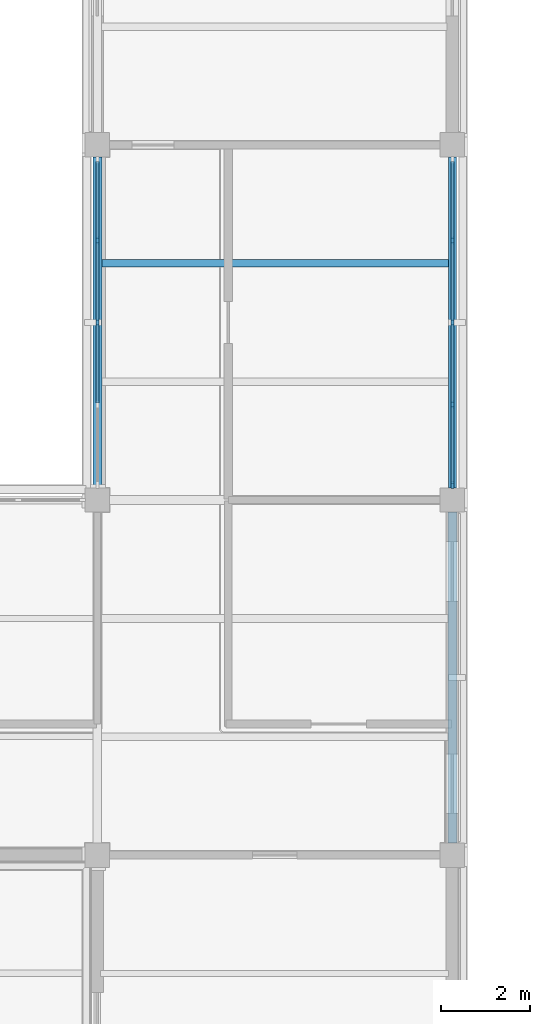
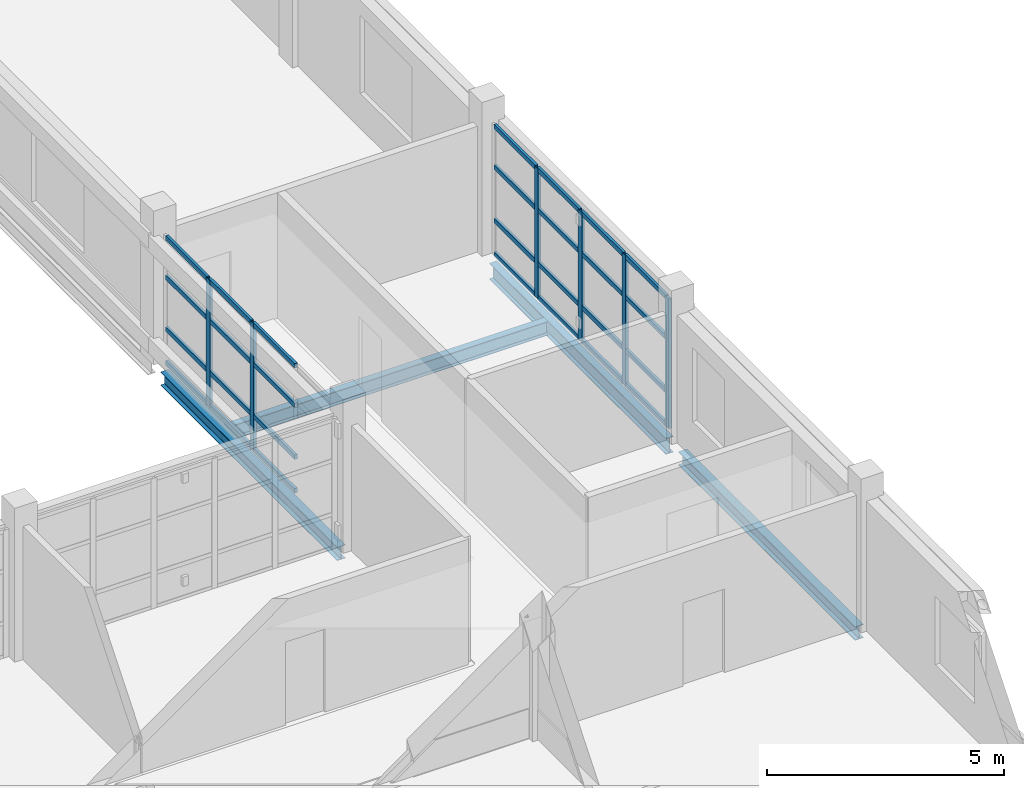
# One storey, part 41 of 92: 34 members, 4 beams, 2 elements without a shape of their own.
"""IFC4 building model written with IfcOpenShell, lengths in metres."""

from ifc_helpers import new_model, si_unit, derived_unit, direction, frame, origin, origin_2d, place, context, subcontext, project, spatial, rectangle, i_section, extrude, material, layer, layer_set, material_profile, profile_set, type_object, element, aggregate, save


model = new_model("IFC4")

# Units and contexts
model_context = context("Model", 3, precision=1e-05, world=origin(), true_north=direction((0.0, 1.0)))
body_context = subcontext(model_context, "Body", "Model", "MODEL_VIEW")
ifc_project = project(units=[si_unit("LENGTHUNIT", "METRE"), si_unit("AREAUNIT", "SQUARE_METRE"), si_unit("VOLUMEUNIT", "CUBIC_METRE"), si_unit("PLANEANGLEUNIT", "RADIAN"), si_unit("MASSUNIT", "GRAM", prefix="KILO"), derived_unit("THERMALTRANSMITTANCEUNIT", [(si_unit("MASSUNIT", "GRAM", prefix="KILO"), 1), (si_unit("TIMEUNIT", "SECOND"), -3), (si_unit("THERMODYNAMICTEMPERATUREUNIT", "KELVIN"), -1)])], contexts=[model_context])

# Site, building, storey
site_placement = place(None, origin())
site = spatial("IfcSite", under=ifc_project, at=site_placement, CompositionType="ELEMENT")
building_placement = place(site_placement, origin())
building = spatial("IfcBuilding", under=site, at=building_placement, Name="Veyamyaing Civic Hall", CompositionType="ELEMENT")
storey_placement = place(building_placement, frame((0.0, 0.0, 17.820068359375)))
storey = spatial("IfcBuildingStorey", under=building, at=storey_placement, Name="L04", CompositionType="ELEMENT", Elevation=17.820068359375)

# Beams
ifc_material_1 = material(Name="Steel ASTM A992", Category="steel")
ifc_material_profile_1 = material_profile(ifc_material_1, i_section(OverallWidth=0.2041015625, OverallDepth=0.35009765625, WebThickness=0.0078125, FlangeThickness=0.01513671875, FilletRadius=0.010009765625, at=origin_2d()), Name="W360X72")
ifc_profile_set_1 = profile_set([ifc_material_profile_1], Name="Steel ASTM A992")
beam_type_1 = type_object("IfcBeamType", Name="B-11", PredefinedType="SPANDREL", material=ifc_profile_set_1)
for number, where, z_axis, x_axis, name in (
    (1, (168.0, 56.27490234375, -0.41015625), (0.0, 1.0, 0.0), (-1.0, 0.0, 0.0), "Girder B-11 L04 Grid 22 H-J"),
    (2, (176.0, 48.27490234375, -0.41015625), (0.0, 1.0, 0.0), (-1.0, 0.0, 0.0), "Girder B-11 L04 Grid 23 G-H"),
):
    element("IfcBeam", number, at=place(storey_placement, frame(where, z_axis=z_axis, x_axis=x_axis)), inside=storey, type_object=beam_type_1, Name=name, PredefinedType="SPANDREL", context=body_context, shape_type="SweptSolid", body=[
        extrude(i_section(OverallWidth=0.2041015625, OverallDepth=0.35009765625, WebThickness=0.0078125, FlangeThickness=0.01513671875, FilletRadius=0.010009765625, at=origin_2d()), origin(), (0.0, 0.0, 1.0), 7.4501953125),
    ])
ifc_material_profile_2 = material_profile(ifc_material_1, i_section(OverallWidth=0.180908203125, OverallDepth=0.4169921875, WebThickness=0.010986328125, FlangeThickness=0.018310546875, FilletRadius=0.010009765625, at=origin_2d()), Name="W410X85")
ifc_profile_set_2 = profile_set([ifc_material_profile_2], Name="Steel ASTM A992")
beam_type_2 = type_object("IfcBeamType", Name="B-19", PredefinedType="SPANDREL", material=ifc_profile_set_2)
beam_1_placement = place(storey_placement, frame((176.0, 56.27490234375, -0.443603515625), z_axis=(0.0, 1.0, 0.0), x_axis=(-1.0, 0.0, 0.0)))
element("IfcBeam", 3, at=beam_1_placement, inside=storey, type_object=beam_type_2, Name="Girder B-19 L04 Grid 23 H-J", PredefinedType="SPANDREL", context=body_context, shape_type="SweptSolid", body=[
    extrude(i_section(OverallWidth=0.180908203125, OverallDepth=0.4169921875, WebThickness=0.010986328125, FlangeThickness=0.018310546875, FilletRadius=0.010009765625, at=origin_2d()), origin(), (0.0, 0.0, 1.0), 7.4501953125),
])

# Curtain wall, members
ifc_material_2 = material(Name="Anodised aluminium 6063-T6", Category="aluminium")
ifc_layer = layer(ifc_material_2, 0.159912109375, Name="Anodised aluminium 6063-T6")
ifc_layer_set = layer_set([ifc_layer], Name="Anodised aluminium 6063-T6")
curtain_wall_type = type_object("IfcCurtainWallType", Name="CW-08", PredefinedType="NOTDEFINED", material=ifc_layer_set)
curtain_wall_1_placement = place(storey_placement, origin())
curtain_wall_1 = element("IfcCurtainWall", 4, at=curtain_wall_1_placement, inside=storey, type_object=curtain_wall_type, Name="Unitized curtain wall CW-08 L04 W 22.8", PredefinedType="NOTDEFINED")
ifc_material_profile_3 = material_profile(ifc_material_2, rectangle(XDim=0.06494140625, YDim=0.159912109375, at=origin_2d()), Name="ALU-MUL-65X160")
ifc_profile_set_3 = profile_set([ifc_material_profile_3], Name="Anodised aluminium 6063-T6")
member_type_1 = type_object("IfcMemberType", Name="CWM-01", PredefinedType="MULLION", material=ifc_profile_set_3)
member_1_placement = place(storey_placement, frame((168.0, 60.0, 0.0), z_axis=(0.0, 0.0, 1.0), x_axis=(-1.0, 0.0, 0.0)))
member_1 = element("IfcMember", 5, at=member_1_placement, type_object=member_type_1, Name="CW-08 mullion 3", PredefinedType="MULLION", context=body_context, shape_type="SweptSolid", body=[
    extrude(rectangle(XDim=0.06494140625, YDim=0.159912109375, at=origin_2d()), origin(), (0.0, 0.0, 1.0), 3.284912109375),
])
member_2_placement = place(storey_placement, frame((168.0, 61.847412109375, 0.0), z_axis=(0.0, 0.0, 1.0), x_axis=(-1.0, 0.0, 0.0)))
member_2 = element("IfcMember", 6, at=member_2_placement, type_object=member_type_1, Name="CW-08 mullion 4", PredefinedType="MULLION", context=body_context, shape_type="SweptSolid", body=[
    extrude(rectangle(XDim=0.06494140625, YDim=0.159912109375, at=origin_2d()), origin(), (0.0, 0.0, 1.0), 3.284912109375),
])

curtain_wall_2_placement = place(storey_placement, origin())
curtain_wall_2 = element("IfcCurtainWall", 7, at=curtain_wall_2_placement, inside=storey, type_object=curtain_wall_type, Name="Unitized curtain wall CW-08 L04 E 22.8", PredefinedType="NOTDEFINED")
member_3_placement = place(storey_placement, frame((176.0, 56.33740234375, 0.0), z_axis=(0.0, 0.0, 1.0), x_axis=(-1.0, 0.0, 0.0)))
member_3 = element("IfcMember", 8, at=member_3_placement, type_object=member_type_1, Name="CW-08 mullion 1", PredefinedType="MULLION", context=body_context, shape_type="SweptSolid", body=[
    extrude(rectangle(XDim=0.06494140625, YDim=0.159912109375, at=origin_2d()), origin(), (0.0, 0.0, 1.0), 3.348876953125),
])
member_4_placement = place(storey_placement, frame((176.0, 58.152587890625, 0.0), z_axis=(0.0, 0.0, 1.0), x_axis=(-1.0, 0.0, 0.0)))
member_4 = element("IfcMember", 9, at=member_4_placement, type_object=member_type_1, Name="CW-08 mullion 2", PredefinedType="MULLION", context=body_context, shape_type="SweptSolid", body=[
    extrude(rectangle(XDim=0.06494140625, YDim=0.159912109375, at=origin_2d()), origin(), (0.0, 0.0, 1.0), 3.348876953125),
])
member_5_placement = place(storey_placement, frame((176.0, 60.0, 0.0), z_axis=(0.0, 0.0, 1.0), x_axis=(-1.0, 0.0, 0.0)))
member_5 = element("IfcMember", 10, at=member_5_placement, type_object=member_type_1, Name="CW-08 mullion 3", PredefinedType="MULLION", context=body_context, shape_type="SweptSolid", body=[
    extrude(rectangle(XDim=0.06494140625, YDim=0.159912109375, at=origin_2d()), origin(), (0.0, 0.0, 1.0), 3.348876953125),
])
member_6_placement = place(storey_placement, frame((176.0, 61.847412109375, 0.0), z_axis=(0.0, 0.0, 1.0), x_axis=(-1.0, 0.0, 0.0)))
member_6 = element("IfcMember", 11, at=member_6_placement, type_object=member_type_1, Name="CW-08 mullion 4", PredefinedType="MULLION", context=body_context, shape_type="SweptSolid", body=[
    extrude(rectangle(XDim=0.06494140625, YDim=0.159912109375, at=origin_2d()), origin(), (0.0, 0.0, 1.0), 3.348876953125),
])

# Member
ifc_material_profile_4 = material_profile(ifc_material_2, rectangle(XDim=0.06494140625, YDim=0.1201171875, at=origin_2d()), Name="ALU-TRN-65X120")
ifc_profile_set_4 = profile_set([ifc_material_profile_4], Name="Anodised aluminium 6063-T6")
member_type_2 = type_object("IfcMemberType", Name="CWT-01", PredefinedType="USERDEFINED", material=ifc_profile_set_4)
member_7_placement = place(storey_placement, frame((168.0, 58.18505859375, 0.032470703125), z_axis=(0.0, 1.0, 0.0), x_axis=(-1.0, 0.0, 0.0)))
member_7 = element("IfcMember", 12, at=member_7_placement, type_object=member_type_2, Name="CW-08 transom 2.1", ObjectType="TRANSOM", PredefinedType="USERDEFINED", context=body_context, shape_type="SweptSolid", body=[
    extrude(rectangle(XDim=0.06494140625, YDim=0.1201171875, at=origin_2d()), origin(), (0.0, 0.0, 1.0), 1.782470703125),
])

member_8_placement = place(storey_placement, frame((168.0, 58.18505859375, 0.89990234375), z_axis=(0.0, 1.0, 0.0), x_axis=(-1.0, 0.0, 0.0)))
member_8 = element("IfcMember", 13, at=member_8_placement, type_object=member_type_2, Name="CW-08 transom 2.2", ObjectType="TRANSOM", PredefinedType="USERDEFINED", context=body_context, shape_type="SweptSolid", body=[
    extrude(rectangle(XDim=0.06494140625, YDim=0.1201171875, at=origin_2d()), origin(), (0.0, 0.0, 1.0), 1.782470703125),
])

member_9_placement = place(storey_placement, frame((168.0, 58.18505859375, 2.233642578125), z_axis=(0.0, 1.0, 0.0), x_axis=(-1.0, 0.0, 0.0)))
member_9 = element("IfcMember", 14, at=member_9_placement, type_object=member_type_2, Name="CW-08 transom 2.3", ObjectType="TRANSOM", PredefinedType="USERDEFINED", context=body_context, shape_type="SweptSolid", body=[
    extrude(rectangle(XDim=0.06494140625, YDim=0.1201171875, at=origin_2d()), origin(), (0.0, 0.0, 1.0), 1.782470703125),
])

member_10_placement = place(storey_placement, frame((168.0, 58.18505859375, 3.25244140625), z_axis=(0.0, 1.0, 0.0), x_axis=(-1.0, 0.0, 0.0)))
member_10 = element("IfcMember", 15, at=member_10_placement, type_object=member_type_2, Name="CW-08 transom 2.4", ObjectType="TRANSOM", PredefinedType="USERDEFINED", context=body_context, shape_type="SweptSolid", body=[
    extrude(rectangle(XDim=0.06494140625, YDim=0.1201171875, at=origin_2d()), origin(), (0.0, 0.0, 1.0), 1.782470703125),
])

member_11_placement = place(storey_placement, frame((168.0, 60.032470703125, 0.032470703125), z_axis=(0.0, 1.0, 0.0), x_axis=(-1.0, 0.0, 0.0)))
member_11 = element("IfcMember", 16, at=member_11_placement, type_object=member_type_2, Name="CW-08 transom 3.1", ObjectType="TRANSOM", PredefinedType="USERDEFINED", context=body_context, shape_type="SweptSolid", body=[
    extrude(rectangle(XDim=0.06494140625, YDim=0.1201171875, at=origin_2d()), origin(), (0.0, 0.0, 1.0), 1.782470703125),
])

member_12_placement = place(storey_placement, frame((168.0, 60.032470703125, 0.89990234375), z_axis=(0.0, 1.0, 0.0), x_axis=(-1.0, 0.0, 0.0)))
member_12 = element("IfcMember", 17, at=member_12_placement, type_object=member_type_2, Name="CW-08 transom 3.2", ObjectType="TRANSOM", PredefinedType="USERDEFINED", context=body_context, shape_type="SweptSolid", body=[
    extrude(rectangle(XDim=0.06494140625, YDim=0.1201171875, at=origin_2d()), origin(), (0.0, 0.0, 1.0), 1.782470703125),
])

member_13_placement = place(storey_placement, frame((168.0, 60.032470703125, 2.233642578125), z_axis=(0.0, 1.0, 0.0), x_axis=(-1.0, 0.0, 0.0)))
member_13 = element("IfcMember", 18, at=member_13_placement, type_object=member_type_2, Name="CW-08 transom 3.3", ObjectType="TRANSOM", PredefinedType="USERDEFINED", context=body_context, shape_type="SweptSolid", body=[
    extrude(rectangle(XDim=0.06494140625, YDim=0.1201171875, at=origin_2d()), origin(), (0.0, 0.0, 1.0), 1.782470703125),
])

member_14_placement = place(storey_placement, frame((168.0, 60.032470703125, 3.25244140625), z_axis=(0.0, 1.0, 0.0), x_axis=(-1.0, 0.0, 0.0)))
member_14 = element("IfcMember", 19, at=member_14_placement, type_object=member_type_2, Name="CW-08 transom 3.4", ObjectType="TRANSOM", PredefinedType="USERDEFINED", context=body_context, shape_type="SweptSolid", body=[
    extrude(rectangle(XDim=0.06494140625, YDim=0.1201171875, at=origin_2d()), origin(), (0.0, 0.0, 1.0), 1.782470703125),
])

member_15_placement = place(storey_placement, frame((168.0, 61.8798828125, 0.032470703125), z_axis=(0.0, 1.0, 0.0), x_axis=(-1.0, 0.0, 0.0)))
member_15 = element("IfcMember", 20, at=member_15_placement, type_object=member_type_2, Name="CW-08 transom 4.1", ObjectType="TRANSOM", PredefinedType="USERDEFINED", context=body_context, shape_type="SweptSolid", body=[
    extrude(rectangle(XDim=0.06494140625, YDim=0.1201171875, at=origin_2d()), origin(), (0.0, 0.0, 1.0), 1.75),
])

member_16_placement = place(storey_placement, frame((168.0, 61.8798828125, 0.89990234375), z_axis=(0.0, 1.0, 0.0), x_axis=(-1.0, 0.0, 0.0)))
member_16 = element("IfcMember", 21, at=member_16_placement, type_object=member_type_2, Name="CW-08 transom 4.2", ObjectType="TRANSOM", PredefinedType="USERDEFINED", context=body_context, shape_type="SweptSolid", body=[
    extrude(rectangle(XDim=0.06494140625, YDim=0.1201171875, at=origin_2d()), origin(), (0.0, 0.0, 1.0), 1.75),
])

member_17_placement = place(storey_placement, frame((168.0, 61.8798828125, 2.233642578125), z_axis=(0.0, 1.0, 0.0), x_axis=(-1.0, 0.0, 0.0)))
member_17 = element("IfcMember", 22, at=member_17_placement, type_object=member_type_2, Name="CW-08 transom 4.3", ObjectType="TRANSOM", PredefinedType="USERDEFINED", context=body_context, shape_type="SweptSolid", body=[
    extrude(rectangle(XDim=0.06494140625, YDim=0.1201171875, at=origin_2d()), origin(), (0.0, 0.0, 1.0), 1.75),
])

member_18_placement = place(storey_placement, frame((168.0, 61.8798828125, 3.25244140625), z_axis=(0.0, 1.0, 0.0), x_axis=(-1.0, 0.0, 0.0)))
member_18 = element("IfcMember", 23, at=member_18_placement, type_object=member_type_2, Name="CW-08 transom 4.4", ObjectType="TRANSOM", PredefinedType="USERDEFINED", context=body_context, shape_type="SweptSolid", body=[
    extrude(rectangle(XDim=0.06494140625, YDim=0.1201171875, at=origin_2d()), origin(), (0.0, 0.0, 1.0), 1.75),
])

aggregate(curtain_wall_1, [member_1, member_2, member_7, member_8, member_9, member_10, member_11, member_12, member_13, member_14, member_15, member_16, member_17, member_18])

member_19_placement = place(storey_placement, frame((176.0, 56.3701171875, 0.032470703125), z_axis=(0.0, 1.0, 0.0), x_axis=(-1.0, 0.0, 0.0)))
member_19 = element("IfcMember", 24, at=member_19_placement, type_object=member_type_2, Name="CW-08 transom 1.1", ObjectType="TRANSOM", PredefinedType="USERDEFINED", context=body_context, shape_type="SweptSolid", body=[
    extrude(rectangle(XDim=0.06494140625, YDim=0.1201171875, at=origin_2d()), origin(), (0.0, 0.0, 1.0), 1.75),
])

member_20_placement = place(storey_placement, frame((176.0, 56.3701171875, 0.89990234375), z_axis=(0.0, 1.0, 0.0), x_axis=(-1.0, 0.0, 0.0)))
member_20 = element("IfcMember", 25, at=member_20_placement, type_object=member_type_2, Name="CW-08 transom 1.2", ObjectType="TRANSOM", PredefinedType="USERDEFINED", context=body_context, shape_type="SweptSolid", body=[
    extrude(rectangle(XDim=0.06494140625, YDim=0.1201171875, at=origin_2d()), origin(), (0.0, 0.0, 1.0), 1.75),
])

member_21_placement = place(storey_placement, frame((176.0, 56.3701171875, 2.27734375), z_axis=(0.0, 1.0, 0.0), x_axis=(-1.0, 0.0, 0.0)))
member_21 = element("IfcMember", 26, at=member_21_placement, type_object=member_type_2, Name="CW-08 transom 1.3", ObjectType="TRANSOM", PredefinedType="USERDEFINED", context=body_context, shape_type="SweptSolid", body=[
    extrude(rectangle(XDim=0.06494140625, YDim=0.1201171875, at=origin_2d()), origin(), (0.0, 0.0, 1.0), 1.75),
])

member_22_placement = place(storey_placement, frame((176.0, 56.3701171875, 3.31640625), z_axis=(0.0, 1.0, 0.0), x_axis=(-1.0, 0.0, 0.0)))
member_22 = element("IfcMember", 27, at=member_22_placement, type_object=member_type_2, Name="CW-08 transom 1.4", ObjectType="TRANSOM", PredefinedType="USERDEFINED", context=body_context, shape_type="SweptSolid", body=[
    extrude(rectangle(XDim=0.06494140625, YDim=0.1201171875, at=origin_2d()), origin(), (0.0, 0.0, 1.0), 1.75),
])

member_23_placement = place(storey_placement, frame((176.0, 58.18505859375, 0.032470703125), z_axis=(0.0, 1.0, 0.0), x_axis=(-1.0, 0.0, 0.0)))
member_23 = element("IfcMember", 28, at=member_23_placement, type_object=member_type_2, Name="CW-08 transom 2.1", ObjectType="TRANSOM", PredefinedType="USERDEFINED", context=body_context, shape_type="SweptSolid", body=[
    extrude(rectangle(XDim=0.06494140625, YDim=0.1201171875, at=origin_2d()), origin(), (0.0, 0.0, 1.0), 1.782470703125),
])

member_24_placement = place(storey_placement, frame((176.0, 58.18505859375, 0.89990234375), z_axis=(0.0, 1.0, 0.0), x_axis=(-1.0, 0.0, 0.0)))
member_24 = element("IfcMember", 29, at=member_24_placement, type_object=member_type_2, Name="CW-08 transom 2.2", ObjectType="TRANSOM", PredefinedType="USERDEFINED", context=body_context, shape_type="SweptSolid", body=[
    extrude(rectangle(XDim=0.06494140625, YDim=0.1201171875, at=origin_2d()), origin(), (0.0, 0.0, 1.0), 1.782470703125),
])

member_25_placement = place(storey_placement, frame((176.0, 58.18505859375, 2.27734375), z_axis=(0.0, 1.0, 0.0), x_axis=(-1.0, 0.0, 0.0)))
member_25 = element("IfcMember", 30, at=member_25_placement, type_object=member_type_2, Name="CW-08 transom 2.3", ObjectType="TRANSOM", PredefinedType="USERDEFINED", context=body_context, shape_type="SweptSolid", body=[
    extrude(rectangle(XDim=0.06494140625, YDim=0.1201171875, at=origin_2d()), origin(), (0.0, 0.0, 1.0), 1.782470703125),
])

member_26_placement = place(storey_placement, frame((176.0, 58.18505859375, 3.31640625), z_axis=(0.0, 1.0, 0.0), x_axis=(-1.0, 0.0, 0.0)))
member_26 = element("IfcMember", 31, at=member_26_placement, type_object=member_type_2, Name="CW-08 transom 2.4", ObjectType="TRANSOM", PredefinedType="USERDEFINED", context=body_context, shape_type="SweptSolid", body=[
    extrude(rectangle(XDim=0.06494140625, YDim=0.1201171875, at=origin_2d()), origin(), (0.0, 0.0, 1.0), 1.782470703125),
])

member_27_placement = place(storey_placement, frame((176.0, 60.032470703125, 0.032470703125), z_axis=(0.0, 1.0, 0.0), x_axis=(-1.0, 0.0, 0.0)))
member_27 = element("IfcMember", 32, at=member_27_placement, type_object=member_type_2, Name="CW-08 transom 3.1", ObjectType="TRANSOM", PredefinedType="USERDEFINED", context=body_context, shape_type="SweptSolid", body=[
    extrude(rectangle(XDim=0.06494140625, YDim=0.1201171875, at=origin_2d()), origin(), (0.0, 0.0, 1.0), 1.782470703125),
])

member_28_placement = place(storey_placement, frame((176.0, 60.032470703125, 0.89990234375), z_axis=(0.0, 1.0, 0.0), x_axis=(-1.0, 0.0, 0.0)))
member_28 = element("IfcMember", 33, at=member_28_placement, type_object=member_type_2, Name="CW-08 transom 3.2", ObjectType="TRANSOM", PredefinedType="USERDEFINED", context=body_context, shape_type="SweptSolid", body=[
    extrude(rectangle(XDim=0.06494140625, YDim=0.1201171875, at=origin_2d()), origin(), (0.0, 0.0, 1.0), 1.782470703125),
])

member_29_placement = place(storey_placement, frame((176.0, 60.032470703125, 2.27734375), z_axis=(0.0, 1.0, 0.0), x_axis=(-1.0, 0.0, 0.0)))
member_29 = element("IfcMember", 34, at=member_29_placement, type_object=member_type_2, Name="CW-08 transom 3.3", ObjectType="TRANSOM", PredefinedType="USERDEFINED", context=body_context, shape_type="SweptSolid", body=[
    extrude(rectangle(XDim=0.06494140625, YDim=0.1201171875, at=origin_2d()), origin(), (0.0, 0.0, 1.0), 1.782470703125),
])

member_30_placement = place(storey_placement, frame((176.0, 60.032470703125, 3.31640625), z_axis=(0.0, 1.0, 0.0), x_axis=(-1.0, 0.0, 0.0)))
member_30 = element("IfcMember", 35, at=member_30_placement, type_object=member_type_2, Name="CW-08 transom 3.4", ObjectType="TRANSOM", PredefinedType="USERDEFINED", context=body_context, shape_type="SweptSolid", body=[
    extrude(rectangle(XDim=0.06494140625, YDim=0.1201171875, at=origin_2d()), origin(), (0.0, 0.0, 1.0), 1.782470703125),
])

member_31_placement = place(storey_placement, frame((176.0, 61.8798828125, 0.032470703125), z_axis=(0.0, 1.0, 0.0), x_axis=(-1.0, 0.0, 0.0)))
member_31 = element("IfcMember", 36, at=member_31_placement, type_object=member_type_2, Name="CW-08 transom 4.1", ObjectType="TRANSOM", PredefinedType="USERDEFINED", context=body_context, shape_type="SweptSolid", body=[
    extrude(rectangle(XDim=0.06494140625, YDim=0.1201171875, at=origin_2d()), origin(), (0.0, 0.0, 1.0), 1.75),
])

member_32_placement = place(storey_placement, frame((176.0, 61.8798828125, 0.89990234375), z_axis=(0.0, 1.0, 0.0), x_axis=(-1.0, 0.0, 0.0)))
member_32 = element("IfcMember", 37, at=member_32_placement, type_object=member_type_2, Name="CW-08 transom 4.2", ObjectType="TRANSOM", PredefinedType="USERDEFINED", context=body_context, shape_type="SweptSolid", body=[
    extrude(rectangle(XDim=0.06494140625, YDim=0.1201171875, at=origin_2d()), origin(), (0.0, 0.0, 1.0), 1.75),
])

member_33_placement = place(storey_placement, frame((176.0, 61.8798828125, 2.27734375), z_axis=(0.0, 1.0, 0.0), x_axis=(-1.0, 0.0, 0.0)))
member_33 = element("IfcMember", 38, at=member_33_placement, type_object=member_type_2, Name="CW-08 transom 4.3", ObjectType="TRANSOM", PredefinedType="USERDEFINED", context=body_context, shape_type="SweptSolid", body=[
    extrude(rectangle(XDim=0.06494140625, YDim=0.1201171875, at=origin_2d()), origin(), (0.0, 0.0, 1.0), 1.75),
])

member_34_placement = place(storey_placement, frame((176.0, 61.8798828125, 3.31640625), z_axis=(0.0, 1.0, 0.0), x_axis=(-1.0, 0.0, 0.0)))
member_34 = element("IfcMember", 39, at=member_34_placement, type_object=member_type_2, Name="CW-08 transom 4.4", ObjectType="TRANSOM", PredefinedType="USERDEFINED", context=body_context, shape_type="SweptSolid", body=[
    extrude(rectangle(XDim=0.06494140625, YDim=0.1201171875, at=origin_2d()), origin(), (0.0, 0.0, 1.0), 1.75),
])

aggregate(curtain_wall_2, [member_3, member_4, member_5, member_6, member_19, member_20, member_21, member_22, member_23, member_24, member_25, member_26, member_27, member_28, member_29, member_30, member_31, member_32, member_33, member_34])

# Beam
ifc_material_profile_5 = material_profile(ifc_material_1, i_section(OverallWidth=0.172119140625, OverallDepth=0.35791015625, WebThickness=0.0078125, FlangeThickness=0.01318359375, FilletRadius=0.010009765625, at=origin_2d()), Name="W360X57")
ifc_profile_set_5 = profile_set([ifc_material_profile_5], Name="Steel ASTM A992")
beam_type_3 = type_object("IfcBeamType", Name="J-02", PredefinedType="JOIST", material=ifc_profile_set_5)
beam_2_placement = place(storey_placement, frame((168.10009765625, 61.333251953125, -0.4140625), z_axis=(1.0, 0.0, 0.0), x_axis=(0.0, 1.0, 0.0)))
element("IfcBeam", 40, at=beam_2_placement, inside=storey, type_object=beam_type_3, Name="Composite floor joist J-02 L04 22.8.2", PredefinedType="JOIST", context=body_context, shape_type="SweptSolid", body=[
    extrude(i_section(OverallWidth=0.172119140625, OverallDepth=0.35791015625, WebThickness=0.0078125, FlangeThickness=0.01318359375, FilletRadius=0.010009765625, at=origin_2d()), origin(), (0.0, 0.0, 1.0), 7.8115234375),
])

save(model, "model.ifc")
